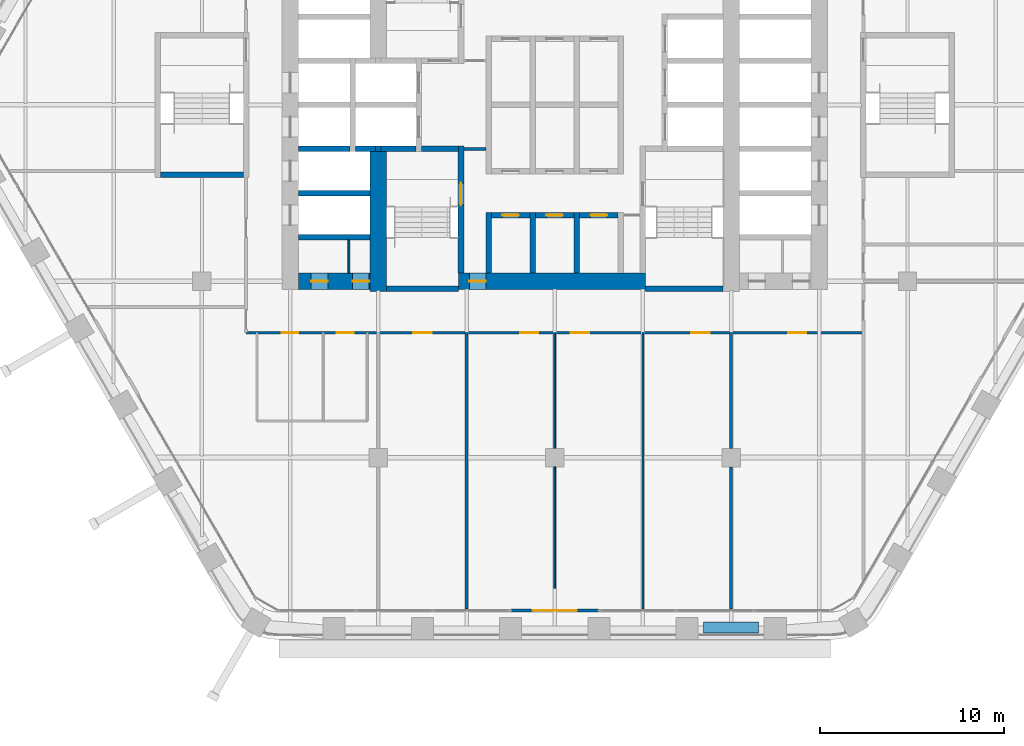
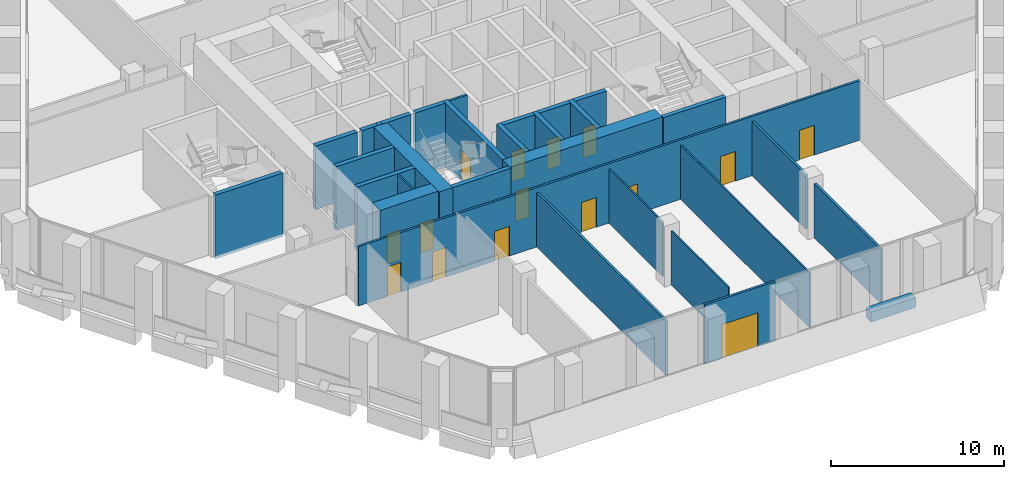
# One storey, part 15 of 27: 31 walls, 15 doors, 15 openings.
"""IFC4 building model written with IfcOpenShell, lengths in metres."""

from ifc_helpers import new_model, si_unit, direction, frame, frame_2d, origin, place, context, subcontext, project, spatial, rectangle, extrude, material, layer, layer_set, type_object, element, fill, save


model = new_model("IFC4")

# Units and contexts
model_context = context("Model", 3, precision=1e-05, world=origin(), true_north=direction((0.0, 1.0)))
body_context = subcontext(model_context, "Body", "Model", "MODEL_VIEW")
ifc_project = project(units=[si_unit("LENGTHUNIT", "METRE"), si_unit("AREAUNIT", "SQUARE_METRE"), si_unit("VOLUMEUNIT", "CUBIC_METRE"), si_unit("PLANEANGLEUNIT", "RADIAN"), si_unit("MASSUNIT", "GRAM", prefix="KILO")], contexts=[model_context])

# Site, building, storey
site_placement = place(None, origin())
site = spatial("IfcSite", under=ifc_project, at=site_placement, CompositionType="ELEMENT")
building_placement = place(site_placement, origin())
building = spatial("IfcBuilding", under=site, at=building_placement, Name="Kolab Exchange Tower", CompositionType="ELEMENT")
storey_placement = place(building_placement, frame((0.0, 0.0, 118.39990234375)))
storey = spatial("IfcBuildingStorey", under=building, at=storey_placement, Name="L23", CompositionType="ELEMENT", Elevation=118.39990234375)

# Wall, openings, doors
ifc_material_1 = material(Name="Concrete C70/85", Category="concrete")
ifc_layer_1 = layer(ifc_material_1, 0.89990234375)
ifc_layer_set_1 = layer_set([ifc_layer_1], Name="Concrete C70/85")
wall_type_1 = type_object("IfcWallType", Name="CORE WALL 900 C70/85", PredefinedType="SHEAR", material=ifc_layer_set_1)
wall_1_placement = place(storey_placement, frame((-13.949951171875, -9.60009765625, -0.199951171875), z_axis=(0.0, 0.0, 1.0), x_axis=(1.0, 0.0, 0.0)))
wall_1 = element("IfcWall", 1, at=wall_1_placement, inside=storey, type_object=wall_type_1, Name="wall/L23/core/002", PredefinedType="SHEAR", context=body_context, shape_type="SweptSolid", body=[
    extrude(rectangle(XDim=3.89990234375, YDim=0.89990234375, at=frame_2d((1.949951171875, 0.0))), origin(), (0.0, 0.0, 1.0), 4.5),
])
opening_1_placement = place(wall_1_placement, frame((0.699951171875, 0.0, 0.199951171875)))
opening_1 = element("IfcOpeningElement", 2, at=opening_1_placement, cuts=wall_1, Name="Opening D6-234", PredefinedType="OPENING", context=body_context, shape_type="SweptSolid", body=[
    extrude(rectangle(XDim=0.89990234375, YDim=2.10009765625, at=frame_2d((0.449951171875, 1.050048828125))), frame((0.0, 0.4599609375, 0.0), z_axis=(0.0, -1.0, 0.0), x_axis=(1.0, 0.0, 0.0)), (0.0, 0.0, 1.0), 0.919921875),
])
opening_2_placement = place(wall_1_placement, frame((2.949951171875, 0.0, 0.199951171875)))
opening_2 = element("IfcOpeningElement", 3, at=opening_2_placement, cuts=wall_1, Name="Opening D6-235", PredefinedType="OPENING", context=body_context, shape_type="SweptSolid", body=[
    extrude(rectangle(XDim=0.89990234375, YDim=2.10009765625, at=frame_2d((0.449951171875, 1.050048828125))), frame((0.0, 0.4599609375, 0.0), z_axis=(0.0, -1.0, 0.0), x_axis=(1.0, 0.0, 0.0)), (0.0, 0.0, 1.0), 0.919921875),
])
ifc_material_2 = material(Name="Steel S235", Category="steel")
door_type_1 = type_object("IfcDoorType", Name="CORE DOOR 900 EI 120", OperationType="SINGLE_SWING_LEFT", PredefinedType="DOOR", material=ifc_material_2)
door_1_placement = place(opening_1_placement, origin())
door_1 = element("IfcDoor", 4, at=door_1_placement, inside=storey, type_object=door_type_1, Name="Service room door", OperationType="SINGLE_SWING_RIGHT", OverallHeight=2.10009765625, OverallWidth=0.89990234375, PredefinedType="DOOR", context=body_context, shape_type="SweptSolid", body=[
    extrude(rectangle(XDim=0.89990234375, YDim=2.10009765625, at=frame_2d((0.449951171875, 1.050048828125))), frame((0.0, 0.02490234375, 0.0), z_axis=(0.0, -1.0, 0.0), x_axis=(1.0, 0.0, 0.0)), (0.0, 0.0, 1.0), 0.050048828125),
])
fill(opening_1, door_1)
door_2_placement = place(opening_2_placement, origin())
door_2 = element("IfcDoor", 5, at=door_2_placement, inside=storey, type_object=door_type_1, Name="Service room door", OperationType="SINGLE_SWING_LEFT", OverallHeight=2.10009765625, OverallWidth=0.89990234375, PredefinedType="DOOR", context=body_context, shape_type="SweptSolid", body=[
    extrude(rectangle(XDim=0.89990234375, YDim=2.10009765625, at=frame_2d((0.449951171875, 1.050048828125))), frame((0.0, 0.02490234375, 0.0), z_axis=(0.0, -1.0, 0.0), x_axis=(1.0, 0.0, 0.0)), (0.0, 0.0, 1.0), 0.050048828125),
])
fill(opening_2, door_2)

# Wall, opening, door
wall_2_placement = place(storey_placement, frame((-5.25, -9.60009765625, -0.199951171875), z_axis=(0.0, 0.0, 1.0), x_axis=(1.0, 0.0, 0.0)))
wall_2 = element("IfcWall", 6, at=wall_2_placement, inside=storey, type_object=wall_type_1, Name="wall/L23/core/003", PredefinedType="SHEAR", context=body_context, shape_type="SweptSolid", body=[
    extrude(rectangle(XDim=10.199951171875, YDim=0.89990234375, at=frame_2d((5.10009765625, 0.0))), origin(), (0.0, 0.0, 1.0), 4.5),
])
opening_3_placement = place(wall_2_placement, frame((0.60009765625, 0.0, 0.199951171875)))
opening_3 = element("IfcOpeningElement", 7, at=opening_3_placement, cuts=wall_2, Name="Opening D6-203", PredefinedType="OPENING", context=body_context, shape_type="SweptSolid", body=[
    extrude(rectangle(XDim=0.89990234375, YDim=2.10009765625, at=frame_2d((0.449951171875, 1.050048828125))), frame((0.0, 0.4599609375, 0.0), z_axis=(0.0, -1.0, 0.0), x_axis=(1.0, 0.0, 0.0)), (0.0, 0.0, 1.0), 0.919921875),
])
door_3_placement = place(opening_3_placement, origin())
door_3 = element("IfcDoor", 8, at=door_3_placement, inside=storey, type_object=door_type_1, Name="Core lobby door", OperationType="SINGLE_SWING_RIGHT", OverallHeight=2.10009765625, OverallWidth=0.89990234375, PredefinedType="DOOR", context=body_context, shape_type="SweptSolid", body=[
    extrude(rectangle(XDim=0.89990234375, YDim=2.10009765625, at=frame_2d((0.449951171875, 1.050048828125))), frame((0.0, 0.02490234375, 0.0), z_axis=(0.0, -1.0, 0.0), x_axis=(1.0, 0.0, 0.0)), (0.0, 0.0, 1.0), 0.050048828125),
])
fill(opening_3, door_3)

# Wall
wall_3_placement = place(storey_placement, frame((-9.60009765625, -10.14990234375, -0.199951171875), z_axis=(0.0, 0.0, 1.0), x_axis=(0.0, 1.0, 0.0)))
element("IfcWall", 9, at=wall_3_placement, inside=storey, type_object=wall_type_1, Name="wall/L23/core/059", PredefinedType="SHEAR", context=body_context, shape_type="SweptSolid", body=[
    extrude(rectangle(XDim=7.599853515625, YDim=0.89990234375, at=frame_2d((3.7998046875, 0.0))), origin(), (0.0, 0.0, 1.0), 4.5),
])

# Wall, opening, door
ifc_material_3 = material(Name="Aluminium EN AW-6063 T6", Category="aluminium")
ifc_layer_2 = layer(ifc_material_3, 0.159912109375)
ifc_layer_set_2 = layer_set([ifc_layer_2], Name="Aluminium EN AW-6063 T6")
wall_type_2 = type_object("IfcWallType", Name="DOOR SURROUND WALL 160 ALUMINIUM FRAMED", PredefinedType="PARTITIONING", material=ifc_layer_set_2)
wall_4_placement = place(storey_placement, frame((2.3701171875, -27.5185546875, 0.0), z_axis=(0.0, 0.0, 1.0), x_axis=(-1.0, 0.0, 0.0)))
wall_4 = element("IfcWall", 10, at=wall_4_placement, inside=storey, type_object=wall_type_2, Name="Door surround wall", PredefinedType="PARTITIONING", context=body_context, shape_type="SweptSolid", body=[
    extrude(rectangle(XDim=4.740234375, YDim=0.159912109375, at=frame_2d((2.3701171875, 0.0))), origin(), (0.0, 0.0, 1.0), 4.2001953125),
])
opening_4_placement = place(wall_4_placement, frame((1.169921875, 0.0, 0.0)))
opening_4 = element("IfcOpeningElement", 11, at=opening_4_placement, cuts=wall_4, Name="Opening GD1-046", PredefinedType="OPENING", context=body_context, shape_type="SweptSolid", body=[
    extrude(rectangle(XDim=2.39990234375, YDim=2.39990234375, at=frame_2d((1.199951171875, 1.199951171875))), frame((0.0, 0.08984375, 0.0), z_axis=(0.0, -1.0, 0.0), x_axis=(1.0, 0.0, 0.0)), (0.0, 0.0, 1.0), 0.179931640625),
])
door_type_2 = type_object("IfcDoorType", Name="LOGGIA SLIDING GLASS DOOR 2400 X 2400", OperationType="DOUBLE_DOOR_SINGLE_SWING", PredefinedType="DOOR", material=ifc_material_3)
door_4_placement = place(opening_4_placement, origin())
door_4 = element("IfcDoor", 12, at=door_4_placement, inside=storey, type_object=door_type_2, Name="Loggia door", OperationType="DOUBLE_DOOR_SLIDING", OverallHeight=2.39990234375, OverallWidth=2.39990234375, PredefinedType="DOOR", context=body_context, shape_type="SweptSolid", body=[
    extrude(rectangle(XDim=2.39990234375, YDim=2.39990234375, at=frame_2d((1.199951171875, 1.199951171875))), frame((0.0, 0.02490234375, 0.0), z_axis=(0.0, -1.0, 0.0), x_axis=(1.0, 0.0, 0.0)), (0.0, 0.0, 1.0), 0.050048828125),
])
fill(opening_4, door_4)

# Wall
ifc_material_4 = material(Name="Concrete C50/60", Category="concrete")
ifc_layer_3 = layer(ifc_material_4, 0.300048828125)
ifc_layer_set_3 = layer_set([ifc_layer_3], Name="Concrete C50/60")
wall_type_3 = type_object("IfcWallType", Name="LIFT SHAFT WALL 300 C50/60", PredefinedType="STANDARD", material=ifc_layer_set_3)
wall_5_placement = place(storey_placement, frame((-13.949951171875, -7.199951171875, -0.199951171875), z_axis=(0.0, 0.0, 1.0), x_axis=(1.0, 0.0, 0.0)))
element("IfcWall", 13, at=wall_5_placement, inside=storey, type_object=wall_type_3, Name="wall/L23/core/005", PredefinedType="STANDARD", context=body_context, shape_type="SweptSolid", body=[
    extrude(rectangle(XDim=3.89990234375, YDim=0.300048828125, at=frame_2d((1.949951171875, 0.0))), origin(), (0.0, 0.0, 1.0), 4.5),
])

# Wall, opening, door
wall_6_placement = place(storey_placement, frame((-3.449951171875, -6.0, -0.199951171875), z_axis=(0.0, 0.0, 1.0), x_axis=(1.0, 0.0, 0.0)))
wall_6 = element("IfcWall", 14, at=wall_6_placement, inside=storey, type_object=wall_type_3, Name="wall/L23/core/007", PredefinedType="STANDARD", context=body_context, shape_type="SweptSolid", body=[
    extrude(rectangle(XDim=2.099853515625, YDim=0.300048828125, at=frame_2d((1.0498046875, 0.0))), origin(), (0.0, 0.0, 1.0), 4.5),
])
opening_5_placement = place(wall_6_placement, frame((0.60009765625, 0.0, 0.199951171875)))
opening_5 = element("IfcOpeningElement", 15, at=opening_5_placement, cuts=wall_6, Name="Opening D6-202", PredefinedType="OPENING", context=body_context, shape_type="SweptSolid", body=[
    extrude(rectangle(XDim=0.89990234375, YDim=2.10009765625, at=frame_2d((0.449951171875, 1.050048828125))), frame((0.0, 0.16015625, 0.0), z_axis=(0.0, -1.0, 0.0), x_axis=(1.0, 0.0, 0.0)), (0.0, 0.0, 1.0), 0.320068359375),
])
door_5_placement = place(opening_5_placement, frame((0.89990234375, 0.0, 0.0), z_axis=(0.0, 0.0, 1.0), x_axis=(-1.0, 0.0, 0.0)))
door_5 = element("IfcDoor", 16, at=door_5_placement, inside=storey, type_object=door_type_1, Name="Service room door", OperationType="SINGLE_SWING_LEFT", OverallHeight=2.10009765625, OverallWidth=0.89990234375, PredefinedType="DOOR", context=body_context, shape_type="SweptSolid", body=[
    extrude(rectangle(XDim=0.89990234375, YDim=2.10009765625, at=frame_2d((0.449951171875, 1.050048828125))), frame((0.0, 0.02490234375, 0.0), z_axis=(0.0, -1.0, 0.0), x_axis=(1.0, 0.0, 0.0)), (0.0, 0.0, 1.0), 0.050048828125),
])
fill(opening_5, door_5)

wall_7_placement = place(storey_placement, frame((-1.050048828125, -6.0, -0.199951171875), z_axis=(0.0, 0.0, 1.0), x_axis=(1.0, 0.0, 0.0)))
wall_7 = element("IfcWall", 17, at=wall_7_placement, inside=storey, type_object=wall_type_3, Name="wall/L23/core/008", PredefinedType="STANDARD", context=body_context, shape_type="SweptSolid", body=[
    extrude(rectangle(XDim=2.10009765625, YDim=0.300048828125, at=frame_2d((1.050048828125, 0.0))), origin(), (0.0, 0.0, 1.0), 4.5),
])
opening_6_placement = place(wall_7_placement, frame((0.60009765625, 0.0, 0.199951171875)))
opening_6 = element("IfcOpeningElement", 18, at=opening_6_placement, cuts=wall_7, Name="Opening D6-201", PredefinedType="OPENING", context=body_context, shape_type="SweptSolid", body=[
    extrude(rectangle(XDim=0.89990234375, YDim=2.10009765625, at=frame_2d((0.449951171875, 1.050048828125))), frame((0.0, 0.16015625, 0.0), z_axis=(0.0, -1.0, 0.0), x_axis=(1.0, 0.0, 0.0)), (0.0, 0.0, 1.0), 0.320068359375),
])
door_6_placement = place(opening_6_placement, frame((0.89990234375, 0.0, 0.0), z_axis=(0.0, 0.0, 1.0), x_axis=(-1.0, 0.0, 0.0)))
door_6 = element("IfcDoor", 19, at=door_6_placement, inside=storey, type_object=door_type_1, Name="Service room door", OperationType="SINGLE_SWING_LEFT", OverallHeight=2.10009765625, OverallWidth=0.89990234375, PredefinedType="DOOR", context=body_context, shape_type="SweptSolid", body=[
    extrude(rectangle(XDim=0.89990234375, YDim=2.10009765625, at=frame_2d((0.449951171875, 1.050048828125))), frame((0.0, 0.02490234375, 0.0), z_axis=(0.0, -1.0, 0.0), x_axis=(1.0, 0.0, 0.0)), (0.0, 0.0, 1.0), 0.050048828125),
])
fill(opening_6, door_6)

wall_8_placement = place(storey_placement, frame((1.35009765625, -6.0, -0.199951171875), z_axis=(0.0, 0.0, 1.0), x_axis=(1.0, 0.0, 0.0)))
wall_8 = element("IfcWall", 20, at=wall_8_placement, inside=storey, type_object=wall_type_3, Name="wall/L23/core/009", PredefinedType="STANDARD", context=body_context, shape_type="SweptSolid", body=[
    extrude(rectangle(XDim=2.099853515625, YDim=0.300048828125, at=frame_2d((1.0498046875, 0.0))), origin(), (0.0, 0.0, 1.0), 4.5),
])
opening_7_placement = place(wall_8_placement, frame((0.60009765625, 0.0, 0.199951171875)))
opening_7 = element("IfcOpeningElement", 21, at=opening_7_placement, cuts=wall_8, Name="Opening D6-200", PredefinedType="OPENING", context=body_context, shape_type="SweptSolid", body=[
    extrude(rectangle(XDim=0.89990234375, YDim=2.10009765625, at=frame_2d((0.449951171875, 1.050048828125))), frame((0.0, 0.16015625, 0.0), z_axis=(0.0, -1.0, 0.0), x_axis=(1.0, 0.0, 0.0)), (0.0, 0.0, 1.0), 0.320068359375),
])
door_7_placement = place(opening_7_placement, frame((0.89990234375, 0.0, 0.0), z_axis=(0.0, 0.0, 1.0), x_axis=(-1.0, 0.0, 0.0)))
door_7 = element("IfcDoor", 22, at=door_7_placement, inside=storey, type_object=door_type_1, Name="Service room door", OperationType="SINGLE_SWING_RIGHT", OverallHeight=2.10009765625, OverallWidth=0.89990234375, PredefinedType="DOOR", context=body_context, shape_type="SweptSolid", body=[
    extrude(rectangle(XDim=0.89990234375, YDim=2.10009765625, at=frame_2d((0.449951171875, 1.050048828125))), frame((0.0, 0.02490234375, 0.0), z_axis=(0.0, -1.0, 0.0), x_axis=(1.0, 0.0, 0.0)), (0.0, 0.0, 1.0), 0.050048828125),
])
fill(opening_7, door_7)

# Walls
wall_9_placement = place(storey_placement, frame((-13.949951171875, -4.800048828125, -0.199951171875), z_axis=(0.0, 0.0, 1.0), x_axis=(1.0, 0.0, 0.0)))
element("IfcWall", 23, at=wall_9_placement, inside=storey, type_object=wall_type_3, Name="wall/L23/core/010", PredefinedType="STANDARD", context=body_context, shape_type="SweptSolid", body=[
    extrude(rectangle(XDim=3.89990234375, YDim=0.300048828125, at=frame_2d((1.949951171875, 0.0))), origin(), (0.0, 0.0, 1.0), 4.5),
])
wall_10_placement = place(storey_placement, frame((-13.949951171875, -2.39990234375, -0.199951171875), z_axis=(0.0, 0.0, 1.0), x_axis=(1.0, 0.0, 0.0)))
element("IfcWall", 24, at=wall_10_placement, inside=storey, type_object=wall_type_3, Name="wall/L23/core/017", PredefinedType="STANDARD", context=body_context, shape_type="SweptSolid", body=[
    extrude(rectangle(XDim=2.800048828125, YDim=0.300048828125, at=frame_2d((1.39990234375, 0.0))), origin(), (0.0, 0.0, 1.0), 4.5),
])
wall_11_placement = place(storey_placement, frame((-10.85009765625, -2.39990234375, -0.199951171875), z_axis=(0.0, 0.0, 1.0), x_axis=(1.0, 0.0, 0.0)))
element("IfcWall", 25, at=wall_11_placement, inside=storey, type_object=wall_type_3, Name="wall/L23/core/018", PredefinedType="STANDARD", context=body_context, shape_type="SweptSolid", body=[
    extrude(rectangle(XDim=1.10009765625, YDim=0.300048828125, at=frame_2d((0.550048828125, 0.0))), origin(), (0.0, 0.0, 1.0), 4.5),
])
for number, where, z_axis, x_axis, name in (
    (26, (-3.60009765625, -9.14990234375, -0.199951171875), (0.0, 0.0, 1.0), (0.0, 1.0, 0.0), "wall/L23/core/066"),
    (27, (-1.199951171875, -9.14990234375, -0.199951171875), (0.0, 0.0, 1.0), (0.0, 1.0, 0.0), "wall/L23/core/069"),
    (28, (1.199951171875, -9.14990234375, -0.199951171875), (0.0, 0.0, 1.0), (0.0, 1.0, 0.0), "wall/L23/core/072"),
):
    element("IfcWall", number, at=place(storey_placement, frame(where, z_axis=z_axis, x_axis=x_axis)), inside=storey, type_object=wall_type_3, Name=name, PredefinedType="STANDARD", context=body_context, shape_type="SweptSolid", body=[
        extrude(rectangle(XDim=3.2998046875, YDim=0.300048828125, at=frame_2d((1.64990234375, 0.0))), origin(), (0.0, 0.0, 1.0), 4.5),
    ])
ifc_material_5 = material(Name="Gypsum board", Category="gypsum")
ifc_layer_4 = layer(ifc_material_5, 0.10009765625)
ifc_layer_set_4 = layer_set([ifc_layer_4], Name="Gypsum board")
wall_type_4 = type_object("IfcWallType", Name="PARTITION 100", PredefinedType="PARTITIONING", material=ifc_layer_set_4)
wall_12_placement = place(storey_placement, frame((4.800048828125, -27.428466796875, 0.0), z_axis=(0.0, 0.0, 1.0), x_axis=(0.0, 1.0, 0.0)))
element("IfcWall", 29, at=wall_12_placement, inside=storey, type_object=wall_type_4, Name="Partition 007", PredefinedType="PARTITIONING", context=body_context, shape_type="SweptSolid", body=[
    extrude(rectangle(XDim=15.028564453125, YDim=0.10009765625, at=frame_2d((7.51416015625, 0.0))), origin(), (0.0, 0.0, 1.0), 3.843017578125),
])
wall_13_placement = place(storey_placement, frame((0.0, -26.318603515625, 0.0), z_axis=(0.0, 0.0, 1.0), x_axis=(0.0, 1.0, 0.0)))
element("IfcWall", 30, at=wall_13_placement, inside=storey, type_object=wall_type_4, Name="Partition 009", PredefinedType="PARTITIONING", context=body_context, shape_type="SweptSolid", body=[
    extrude(rectangle(XDim=6.61865234375, YDim=0.10009765625, at=frame_2d((3.309326171875, 0.0))), origin(), (0.0, 0.0, 1.0), 3.843017578125),
])
wall_14_placement = place(storey_placement, frame((0.0, -18.699951171875, 0.0), z_axis=(0.0, 0.0, 1.0), x_axis=(0.0, 1.0, 0.0)))
element("IfcWall", 31, at=wall_14_placement, inside=storey, type_object=wall_type_4, Name="Partition 010", PredefinedType="PARTITIONING", context=body_context, shape_type="SweptSolid", body=[
    extrude(rectangle(XDim=6.300048828125, YDim=0.10009765625, at=frame_2d((3.14990234375, 0.0))), origin(), (0.0, 0.0, 1.0), 3.843017578125),
])
wall_15_placement = place(storey_placement, frame((-11.199951171875, -9.14990234375, 0.0), z_axis=(0.0, 0.0, 1.0), x_axis=(0.0, 1.0, 0.0)))
element("IfcWall", 32, at=wall_15_placement, inside=storey, type_object=wall_type_4, Name="Partition 020", PredefinedType="PARTITIONING", context=body_context, shape_type="SweptSolid", body=[
    extrude(rectangle(XDim=1.7998046875, YDim=0.10009765625, at=frame_2d((0.89990234375, 0.0))), origin(), (0.0, 0.0, 1.0), 4.300048828125),
])
ifc_layer_5 = layer(ifc_material_5, 0.14990234375)
ifc_layer_set_5 = layer_set([ifc_layer_5], Name="Gypsum board")
wall_type_5 = type_object("IfcWallType", Name="PARTITION 150 FIRE-RATED", PredefinedType="PARTITIONING", material=ifc_layer_set_5)
wall_16_placement = place(storey_placement, frame((9.60009765625, -27.428466796875, 0.0), z_axis=(0.0, 0.0, 1.0), x_axis=(0.0, 1.0, 0.0)))
element("IfcWall", 33, at=wall_16_placement, inside=storey, type_object=wall_type_5, Name="Partition 003", PredefinedType="PARTITIONING", context=body_context, shape_type="SweptSolid", body=[
    extrude(rectangle(XDim=7.728515625, YDim=0.14990234375, at=frame_2d((3.8642578125, 0.0))), origin(), (0.0, 0.0, 1.0), 3.843017578125),
])
wall_17_placement = place(storey_placement, frame((9.60009765625, -18.699951171875, 0.0), z_axis=(0.0, 0.0, 1.0), x_axis=(0.0, 1.0, 0.0)))
element("IfcWall", 34, at=wall_17_placement, inside=storey, type_object=wall_type_5, Name="Partition 004", PredefinedType="PARTITIONING", context=body_context, shape_type="SweptSolid", body=[
    extrude(rectangle(XDim=6.300048828125, YDim=0.14990234375, at=frame_2d((3.14990234375, 0.0))), origin(), (0.0, 0.0, 1.0), 3.843017578125),
])
wall_18_placement = place(storey_placement, frame((-4.800048828125, -27.428466796875, 0.0), z_axis=(0.0, 0.0, 1.0), x_axis=(0.0, 1.0, 0.0)))
element("IfcWall", 35, at=wall_18_placement, inside=storey, type_object=wall_type_5, Name="Partition 013", PredefinedType="PARTITIONING", context=body_context, shape_type="SweptSolid", body=[
    extrude(rectangle(XDim=15.028564453125, YDim=0.14990234375, at=frame_2d((7.51416015625, 0.0))), origin(), (0.0, 0.0, 1.0), 3.843017578125),
])

# Wall, openings, doors
wall_19_placement = place(storey_placement, frame((-16.800048828125, -12.39990234375, 0.0), z_axis=(0.0, 0.0, 1.0), x_axis=(1.0, 0.0, 0.0)))
wall_19 = element("IfcWall", 36, at=wall_19_placement, inside=storey, type_object=wall_type_5, Name="Partition 027", PredefinedType="PARTITIONING", context=body_context, shape_type="SweptSolid", body=[
    extrude(rectangle(XDim=33.60009765625, YDim=0.14990234375, at=frame_2d((16.800048828125, 0.0))), origin(), (0.0, 0.0, 1.0), 4.2001953125),
])
opening_8_placement = place(wall_19_placement, frame((9.10009765625, 0.0, 0.0)))
opening_8 = element("IfcOpeningElement", 37, at=opening_8_placement, cuts=wall_19, Name="Opening D1-324", PredefinedType="OPENING", context=body_context, shape_type="SweptSolid", body=[
    extrude(rectangle(XDim=1.0, YDim=2.10009765625, at=frame_2d((0.5, 1.050048828125))), frame((0.0, 0.0849609375, 0.0), z_axis=(0.0, -1.0, 0.0), x_axis=(1.0, 0.0, 0.0)), (0.0, 0.0, 1.0), 0.169921875),
])
opening_9_placement = place(wall_19_placement, frame((14.9150390625, 0.0, 0.0)))
opening_9 = element("IfcOpeningElement", 38, at=opening_9_placement, cuts=wall_19, Name="Opening D1-325", PredefinedType="OPENING", context=body_context, shape_type="SweptSolid", body=[
    extrude(rectangle(XDim=1.0, YDim=2.10009765625, at=frame_2d((0.5, 1.050048828125))), frame((0.0, 0.0849609375, 0.0), z_axis=(0.0, -1.0, 0.0), x_axis=(1.0, 0.0, 0.0)), (0.0, 0.0, 1.0), 0.169921875),
])
opening_10_placement = place(wall_19_placement, frame((17.68505859375, 0.0, 0.0)))
opening_10 = element("IfcOpeningElement", 39, at=opening_10_placement, cuts=wall_19, Name="Opening D1-326", PredefinedType="OPENING", context=body_context, shape_type="SweptSolid", body=[
    extrude(rectangle(XDim=1.0, YDim=2.10009765625, at=frame_2d((0.5, 1.050048828125))), frame((0.0, 0.0849609375, 0.0), z_axis=(0.0, -1.0, 0.0), x_axis=(1.0, 0.0, 0.0)), (0.0, 0.0, 1.0), 0.169921875),
])
opening_11_placement = place(wall_19_placement, frame((24.22509765625, 0.0, 0.0)))
opening_11 = element("IfcOpeningElement", 40, at=opening_11_placement, cuts=wall_19, Name="Opening D1-327", PredefinedType="OPENING", context=body_context, shape_type="SweptSolid", body=[
    extrude(rectangle(XDim=1.0, YDim=2.10009765625, at=frame_2d((0.5, 1.050048828125))), frame((0.0, 0.0849609375, 0.0), z_axis=(0.0, -1.0, 0.0), x_axis=(1.0, 0.0, 0.0)), (0.0, 0.0, 1.0), 0.169921875),
])
opening_12_placement = place(wall_19_placement, frame((29.5, 0.0, 0.0)))
opening_12 = element("IfcOpeningElement", 41, at=opening_12_placement, cuts=wall_19, Name="Opening D1-328", PredefinedType="OPENING", context=body_context, shape_type="SweptSolid", body=[
    extrude(rectangle(XDim=1.0, YDim=2.10009765625, at=frame_2d((0.5, 1.050048828125))), frame((0.0, 0.0849609375, 0.0), z_axis=(0.0, -1.0, 0.0), x_axis=(1.0, 0.0, 0.0)), (0.0, 0.0, 1.0), 0.169921875),
])
opening_13_placement = place(wall_19_placement, frame((1.949951171875, 0.0, 0.0)))
opening_13 = element("IfcOpeningElement", 42, at=opening_13_placement, cuts=wall_19, Name="Opening D3-031", PredefinedType="OPENING", context=body_context, shape_type="SweptSolid", body=[
    extrude(rectangle(XDim=0.89990234375, YDim=2.10009765625, at=frame_2d((0.449951171875, 1.050048828125))), frame((0.0, 0.0849609375, 0.0), z_axis=(0.0, -1.0, 0.0), x_axis=(1.0, 0.0, 0.0)), (0.0, 0.0, 1.0), 0.169921875),
])
opening_14_placement = place(wall_19_placement, frame((4.949951171875, 0.0, 0.0)))
opening_14 = element("IfcOpeningElement", 43, at=opening_14_placement, cuts=wall_19, Name="Opening D3-032", PredefinedType="OPENING", context=body_context, shape_type="SweptSolid", body=[
    extrude(rectangle(XDim=0.89990234375, YDim=2.10009765625, at=frame_2d((0.449951171875, 1.050048828125))), frame((0.0, 0.0849609375, 0.0), z_axis=(0.0, -1.0, 0.0), x_axis=(1.0, 0.0, 0.0)), (0.0, 0.0, 1.0), 0.169921875),
])
door_type_3 = type_object("IfcDoorType", Name="FLUSH DOOR 1000 FD60", OperationType="SINGLE_SWING_LEFT", PredefinedType="DOOR", material=ifc_material_2)
door_8_placement = place(opening_8_placement, frame((1.0, 0.0, 0.0), z_axis=(0.0, 0.0, 1.0), x_axis=(-1.0, 0.0, 0.0)))
door_8 = element("IfcDoor", 44, at=door_8_placement, inside=storey, type_object=door_type_3, Name="Door L23-055", OperationType="SINGLE_SWING_LEFT", OverallHeight=2.10009765625, OverallWidth=1.0, PredefinedType="DOOR", context=body_context, shape_type="SweptSolid", body=[
    extrude(rectangle(XDim=1.0, YDim=2.10009765625, at=frame_2d((0.5, 1.050048828125))), frame((0.0, 0.02490234375, 0.0), z_axis=(0.0, -1.0, 0.0), x_axis=(1.0, 0.0, 0.0)), (0.0, 0.0, 1.0), 0.050048828125),
])
fill(opening_8, door_8)
door_9_placement = place(opening_9_placement, frame((1.0, 0.0, 0.0), z_axis=(0.0, 0.0, 1.0), x_axis=(-1.0, 0.0, 0.0)))
door_9 = element("IfcDoor", 45, at=door_9_placement, inside=storey, type_object=door_type_3, Name="Door L23-056", OperationType="SINGLE_SWING_RIGHT", OverallHeight=2.10009765625, OverallWidth=1.0, PredefinedType="DOOR", context=body_context, shape_type="SweptSolid", body=[
    extrude(rectangle(XDim=1.0, YDim=2.10009765625, at=frame_2d((0.5, 1.050048828125))), frame((0.0, 0.02490234375, 0.0), z_axis=(0.0, -1.0, 0.0), x_axis=(1.0, 0.0, 0.0)), (0.0, 0.0, 1.0), 0.050048828125),
])
fill(opening_9, door_9)
door_10_placement = place(opening_10_placement, frame((1.0, 0.0, 0.0), z_axis=(0.0, 0.0, 1.0), x_axis=(-1.0, 0.0, 0.0)))
door_10 = element("IfcDoor", 46, at=door_10_placement, inside=storey, type_object=door_type_3, Name="Door L23-057", OperationType="SINGLE_SWING_LEFT", OverallHeight=2.10009765625, OverallWidth=1.0, PredefinedType="DOOR", context=body_context, shape_type="SweptSolid", body=[
    extrude(rectangle(XDim=1.0, YDim=2.10009765625, at=frame_2d((0.5, 1.050048828125))), frame((0.0, 0.02490234375, 0.0), z_axis=(0.0, -1.0, 0.0), x_axis=(1.0, 0.0, 0.0)), (0.0, 0.0, 1.0), 0.050048828125),
])
fill(opening_10, door_10)
door_11_placement = place(opening_11_placement, frame((1.0, 0.0, 0.0), z_axis=(0.0, 0.0, 1.0), x_axis=(-1.0, 0.0, 0.0)))
door_11 = element("IfcDoor", 47, at=door_11_placement, inside=storey, type_object=door_type_3, Name="Door L23-058", OperationType="SINGLE_SWING_RIGHT", OverallHeight=2.10009765625, OverallWidth=1.0, PredefinedType="DOOR", context=body_context, shape_type="SweptSolid", body=[
    extrude(rectangle(XDim=1.0, YDim=2.10009765625, at=frame_2d((0.5, 1.050048828125))), frame((0.0, 0.02490234375, 0.0), z_axis=(0.0, -1.0, 0.0), x_axis=(1.0, 0.0, 0.0)), (0.0, 0.0, 1.0), 0.050048828125),
])
fill(opening_11, door_11)
door_12_placement = place(opening_12_placement, frame((1.0, 0.0, 0.0), z_axis=(0.0, 0.0, 1.0), x_axis=(-1.0, 0.0, 0.0)))
door_12 = element("IfcDoor", 48, at=door_12_placement, inside=storey, type_object=door_type_3, Name="Door L23-059", OperationType="SINGLE_SWING_LEFT", OverallHeight=2.10009765625, OverallWidth=1.0, PredefinedType="DOOR", context=body_context, shape_type="SweptSolid", body=[
    extrude(rectangle(XDim=1.0, YDim=2.10009765625, at=frame_2d((0.5, 1.050048828125))), frame((0.0, 0.02490234375, 0.0), z_axis=(0.0, -1.0, 0.0), x_axis=(1.0, 0.0, 0.0)), (0.0, 0.0, 1.0), 0.050048828125),
])
fill(opening_12, door_12)
door_type_4 = type_object("IfcDoorType", Name="FLUSH DOOR 900 FD60", OperationType="SINGLE_SWING_LEFT", PredefinedType="DOOR", material=ifc_material_2)
door_13_placement = place(opening_13_placement, frame((0.89990234375, 0.0, 0.0), z_axis=(0.0, 0.0, 1.0), x_axis=(-1.0, 0.0, 0.0)))
door_13 = element("IfcDoor", 49, at=door_13_placement, inside=storey, type_object=door_type_4, Name="Door L23-070", OperationType="SINGLE_SWING_LEFT", OverallHeight=2.10009765625, OverallWidth=0.89990234375, PredefinedType="DOOR", context=body_context, shape_type="SweptSolid", body=[
    extrude(rectangle(XDim=0.89990234375, YDim=2.10009765625, at=frame_2d((0.449951171875, 1.050048828125))), frame((0.0, 0.02490234375, 0.0), z_axis=(0.0, -1.0, 0.0), x_axis=(1.0, 0.0, 0.0)), (0.0, 0.0, 1.0), 0.050048828125),
])
fill(opening_13, door_13)
door_14_placement = place(opening_14_placement, frame((0.89990234375, 0.0, 0.0), z_axis=(0.0, 0.0, 1.0), x_axis=(-1.0, 0.0, 0.0)))
door_14 = element("IfcDoor", 50, at=door_14_placement, inside=storey, type_object=door_type_4, Name="Door L23-071", OperationType="SINGLE_SWING_LEFT", OverallHeight=2.10009765625, OverallWidth=0.89990234375, PredefinedType="DOOR", context=body_context, shape_type="SweptSolid", body=[
    extrude(rectangle(XDim=0.89990234375, YDim=2.10009765625, at=frame_2d((0.449951171875, 1.050048828125))), frame((0.0, 0.02490234375, 0.0), z_axis=(0.0, -1.0, 0.0), x_axis=(1.0, 0.0, 0.0)), (0.0, 0.0, 1.0), 0.050048828125),
])
fill(opening_14, door_14)

# Walls
wall_20_placement = place(storey_placement, frame((-4.949951171875, -2.39990234375, 0.0), z_axis=(0.0, 0.0, 1.0), x_axis=(1.0, 0.0, 0.0)))
element("IfcWall", 51, at=wall_20_placement, inside=storey, type_object=wall_type_5, Name="Fire partition", PredefinedType="PARTITIONING", context=body_context, shape_type="SweptSolid", body=[
    extrude(rectangle(XDim=1.199951171875, YDim=0.14990234375, at=frame_2d((0.60009765625, 0.0))), origin(), (0.0, 0.0, 1.0), 4.300048828125),
])
ifc_material_6 = material(Name="Granite facing", Category="masonry")
ifc_layer_6 = layer(ifc_material_6, 0.0400390625)
ifc_material_7 = material(Name="Concrete C40/50 precast", Category="concrete")
ifc_layer_7 = layer(ifc_material_7, 0.56005859375)
ifc_layer_set_6 = layer_set([ifc_layer_6, ifc_layer_7], Name="Concrete C40/50 precast")
wall_type_6 = type_object("IfcWallType", Name="PLANTER BOX 600 X 700 SOIL DEPTH 550", PredefinedType="USERDEFINED", material=ifc_layer_set_6)
wall_21_placement = place(storey_placement, frame((11.10009765625, -28.448486328125, 0.0), z_axis=(0.0, 0.0, 1.0), x_axis=(-1.0, 0.0, 0.0)))
element("IfcWall", 52, at=wall_21_placement, inside=storey, type_object=wall_type_6, Name="Planter", ObjectType="PLANTER", PredefinedType="USERDEFINED", context=body_context, shape_type="SweptSolid", body=[
    extrude(rectangle(XDim=3.0, YDim=0.60009765625, at=frame_2d((1.5, 0.0))), origin(), (0.0, 0.0, 1.0), 0.7001953125),
])
ifc_layer_8 = layer(ifc_material_4, 0.300048828125)
ifc_layer_set_7 = layer_set([ifc_layer_8], Name="Concrete C50/60")
wall_type_7 = type_object("IfcWallType", Name="STAIR ENCLOSURE WALL 300 C50/60", PredefinedType="STANDARD", material=ifc_layer_set_7)
wall_22_placement = place(storey_placement, frame((-9.14990234375, -10.0, -0.199951171875), z_axis=(0.0, 0.0, 1.0), x_axis=(1.0, 0.0, 0.0)))
element("IfcWall", 53, at=wall_22_placement, inside=storey, type_object=wall_type_7, Name="wall/L23/core/000", PredefinedType="STANDARD", context=body_context, shape_type="SweptSolid", body=[
    extrude(rectangle(XDim=3.89990234375, YDim=0.300048828125, at=frame_2d((1.949951171875, 0.0))), origin(), (0.0, 0.0, 1.0), 4.5),
])
wall_23_placement = place(storey_placement, frame((4.949951171875, -10.0, -0.199951171875), z_axis=(0.0, 0.0, 1.0), x_axis=(1.0, 0.0, 0.0)))
element("IfcWall", 54, at=wall_23_placement, inside=storey, type_object=wall_type_7, Name="wall/L23/core/001", PredefinedType="STANDARD", context=body_context, shape_type="SweptSolid", body=[
    extrude(rectangle(XDim=4.199951171875, YDim=0.300048828125, at=frame_2d((2.10009765625, 0.0))), origin(), (0.0, 0.0, 1.0), 4.5),
])
wall_24_placement = place(storey_placement, frame((-21.449951171875, -3.800048828125, -0.199951171875), z_axis=(0.0, 0.0, 1.0), x_axis=(1.0, 0.0, 0.0)))
element("IfcWall", 55, at=wall_24_placement, inside=storey, type_object=wall_type_7, Name="wall/L23/core/012", PredefinedType="STANDARD", context=body_context, shape_type="SweptSolid", body=[
    extrude(rectangle(XDim=4.5, YDim=0.300048828125, at=frame_2d((2.25, 0.0))), origin(), (0.0, 0.0, 1.0), 4.5),
])
wall_25_placement = place(storey_placement, frame((-9.449951171875, -2.39990234375, -0.199951171875), z_axis=(0.0, 0.0, 1.0), x_axis=(1.0, 0.0, 0.0)))
element("IfcWall", 56, at=wall_25_placement, inside=storey, type_object=wall_type_7, Name="wall/L23/core/019", PredefinedType="STANDARD", context=body_context, shape_type="SweptSolid", body=[
    extrude(rectangle(XDim=1.89990234375, YDim=0.300048828125, at=frame_2d((0.949951171875, 0.0))), origin(), (0.0, 0.0, 1.0), 4.5),
])
wall_26_placement = place(storey_placement, frame((-7.25, -2.39990234375, -0.199951171875), z_axis=(0.0, 0.0, 1.0), x_axis=(1.0, 0.0, 0.0)))
element("IfcWall", 57, at=wall_26_placement, inside=storey, type_object=wall_type_7, Name="wall/L23/core/020", PredefinedType="STANDARD", context=body_context, shape_type="SweptSolid", body=[
    extrude(rectangle(XDim=2.0, YDim=0.300048828125, at=frame_2d((1.0, 0.0))), origin(), (0.0, 0.0, 1.0), 4.5),
])
wall_27_placement = place(storey_placement, frame((-9.60009765625, -2.550048828125, -0.199951171875), z_axis=(0.0, 0.0, 1.0), x_axis=(0.0, 1.0, 0.0)))
element("IfcWall", 58, at=wall_27_placement, inside=storey, type_object=wall_type_7, Name="wall/L23/core/060", PredefinedType="STANDARD", context=body_context, shape_type="SweptSolid", body=[
    extrude(rectangle(XDim=0.300048828125, YDim=0.300048828125, at=frame_2d((0.14990234375, 0.0))), origin(), (0.0, 0.0, 1.0), 4.5),
])

# Wall, opening, door
wall_28_placement = place(storey_placement, frame((-5.10009765625, -9.14990234375, -0.199951171875), z_axis=(0.0, 0.0, 1.0), x_axis=(0.0, 1.0, 0.0)))
wall_28 = element("IfcWall", 59, at=wall_28_placement, inside=storey, type_object=wall_type_7, Name="wall/L23/core/064", PredefinedType="STANDARD", context=body_context, shape_type="SweptSolid", body=[
    extrude(rectangle(XDim=6.89990234375, YDim=0.300048828125, at=frame_2d((3.449951171875, 0.0))), origin(), (0.0, 0.0, 1.0), 4.5),
])
opening_15_placement = place(wall_28_placement, frame((3.699951171875, 0.0, 0.199951171875)))
opening_15 = element("IfcOpeningElement", 60, at=opening_15_placement, cuts=wall_28, Name="Opening D4-046", PredefinedType="OPENING", context=body_context, shape_type="SweptSolid", body=[
    extrude(rectangle(XDim=1.199951171875, YDim=2.10009765625, at=frame_2d((0.60009765625, 1.050048828125))), frame((0.0, 0.16015625, 0.0), z_axis=(0.0, -1.0, 0.0), x_axis=(1.0, 0.0, 0.0)), (0.0, 0.0, 1.0), 0.320068359375),
])
door_type_5 = type_object("IfcDoorType", Name="STAIR DOOR 1200 EI 120", OperationType="SINGLE_SWING_LEFT", PredefinedType="DOOR", material=ifc_material_2)
door_15_placement = place(opening_15_placement, origin())
door_15 = element("IfcDoor", 61, at=door_15_placement, inside=storey, type_object=door_type_5, Name="Stair 3 door", OperationType="SINGLE_SWING_RIGHT", OverallHeight=2.10009765625, OverallWidth=1.199951171875, PredefinedType="DOOR", context=body_context, shape_type="SweptSolid", body=[
    extrude(rectangle(XDim=1.199951171875, YDim=2.10009765625, at=frame_2d((0.60009765625, 1.050048828125))), frame((0.0, 0.02490234375, 0.0), z_axis=(0.0, -1.0, 0.0), x_axis=(1.0, 0.0, 0.0)), (0.0, 0.0, 1.0), 0.050048828125),
])
fill(opening_15, door_15)

save(model, "model.ifc")
